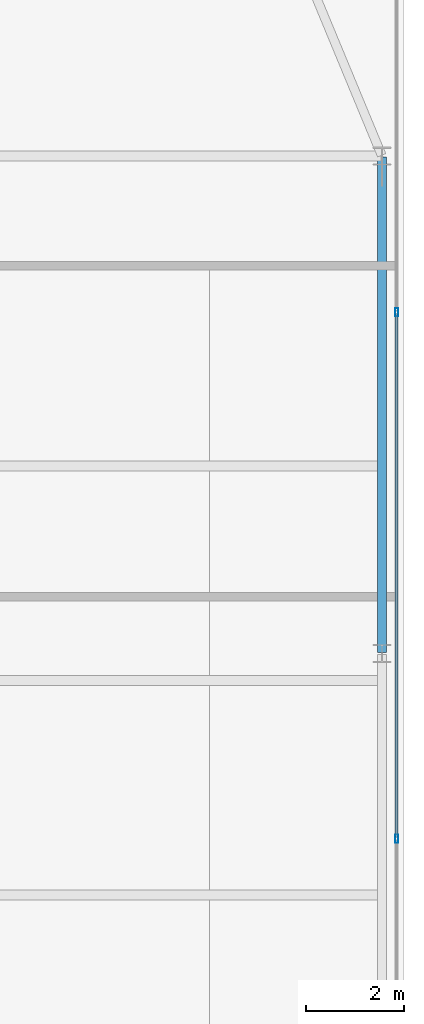
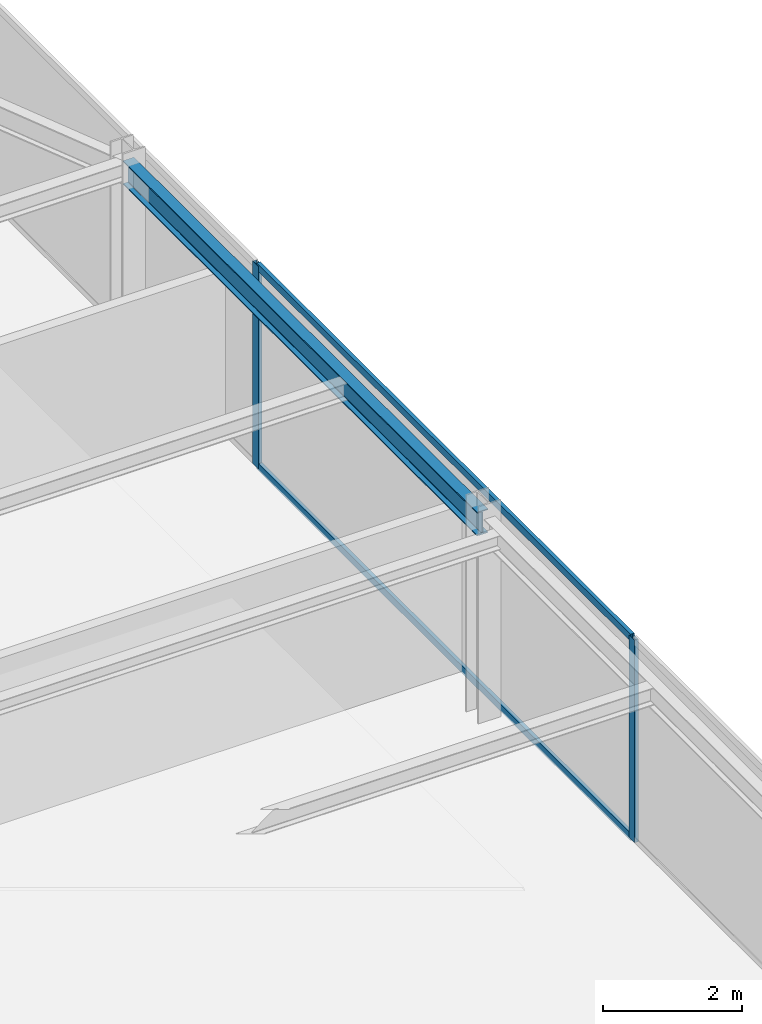
# One storey, part 18 of 31: 4 members, 1 beam, 1 element without a shape of its own.
"""IFC4 building model written with IfcOpenShell, lengths in metres."""

from ifc_helpers import new_model, si_unit, direction, frame, origin, origin_2d, place, context, subcontext, project, spatial, hollow_rectangle, i_section, extrude, source, transform, mapped, material, layer, layer_set, material_profile, profile_set, type_object, type_shapes, element, aggregate, save


model = new_model("IFC4")

# Units and contexts
model_context = context("Model", 3, precision=1e-05, world=origin(), true_north=direction((0.0, 1.0)))
body_context = subcontext(model_context, "Body", "Model", "MODEL_VIEW")
ifc_project = project(units=[si_unit("LENGTHUNIT", "METRE"), si_unit("AREAUNIT", "SQUARE_METRE"), si_unit("VOLUMEUNIT", "CUBIC_METRE"), si_unit("PLANEANGLEUNIT", "RADIAN"), si_unit("MASSUNIT", "GRAM", prefix="KILO")], contexts=[model_context])

# Site, building, storey
site_placement = place(None, origin())
site = spatial("IfcSite", under=ifc_project, at=site_placement, CompositionType="ELEMENT")
building_placement = place(site_placement, origin())
building = spatial("IfcBuilding", under=site, at=building_placement, Name="Varnel Quay Broadcast Tower", CompositionType="ELEMENT")
storey_placement = place(building_placement, frame((0.0, 0.0, 157.199951171875)))
storey = spatial("IfcBuildingStorey", under=building, at=storey_placement, Name="L38", CompositionType="ELEMENT", Elevation=157.199951171875)

# Beam
ifc_material_1 = material(Name="Structural Steel CSA G40.21 350W", Category="steel")
ifc_material_profile_1 = material_profile(ifc_material_1, i_section(OverallWidth=0.180908203125, OverallDepth=0.4169921875, WebThickness=0.010986328125, FlangeThickness=0.018310546875, FilletRadius=0.011962890625, at=origin_2d()), Name="W410X85")
ifc_profile_set_1 = profile_set([ifc_material_profile_1], Name="Structural Steel CSA G40.21 350W")
beam_type = type_object("IfcBeamType", Name="Beam_W410X85", PredefinedType="SPANDREL", material=ifc_profile_set_1)
shared_shape_1 = source(origin(), body_context, "Body", "SweptSolid", [
    extrude(i_section(OverallWidth=0.180908203125, OverallDepth=0.4169921875, WebThickness=0.010986328125, FlangeThickness=0.018310546875, FilletRadius=0.011962890625, at=origin_2d()), origin(), (0.0, 0.0, 1.0), 10.16015625),
])
type_shapes(beam_type, [shared_shape_1])
beam_placement = place(storey_placement, frame((60.550048828125, 25.419921875, 3.341552734375), z_axis=(0.0, 1.0, 0.0), x_axis=(-1.0, 0.0, 0.0)))
element("IfcBeam", 1, at=beam_placement, inside=storey, type_object=beam_type, Name="L38 East Spandrel TC-E2-TC-E3", PredefinedType="SPANDREL", context=body_context, shape_type="MappedRepresentation", body=[
    mapped(shared_shape_1, transform((0.0, 0.0, 0.0), x_axis=(1.0, 0.0, 0.0), y_axis=(0.0, 1.0, 0.0), z_axis=(0.0, 0.0, 1.0), scale=1.0)),
])

# Curtain wall, members
ifc_material_2 = material(Name="Anodised Bronze Aluminium 6063-T6", Category="aluminium")
ifc_layer = layer(ifc_material_2, 0.18994140625, Name="Anodised Bronze Aluminium 6063-T6")
ifc_layer_set = layer_set([ifc_layer], Name="Anodised Bronze Aluminium 6063-T6")
curtain_wall_type = type_object("IfcCurtainWallType", Name="CW_UpperTower", PredefinedType="NOTDEFINED", material=ifc_layer_set)
curtain_wall_placement = place(storey_placement, origin())
curtain_wall = element("IfcCurtainWall", 2, at=curtain_wall_placement, inside=storey, type_object=curtain_wall_type, Name="L38 East Unitised Curtain Wall", PredefinedType="NOTDEFINED")
ifc_material_profile_2 = material_profile(ifc_material_2, hollow_rectangle(XDim=0.06494140625, YDim=0.1650390625, WallThickness=0.00341796875, at=origin_2d()), Name="ALU65X165X3.5")
ifc_profile_set_2 = profile_set([ifc_material_profile_2], Name="Anodised Bronze Aluminium 6063-T6")
member_type_1 = type_object("IfcMemberType", Name="Mull_CWS-03", PredefinedType="MULLION", material=ifc_profile_set_2)
shared_shape_2 = source(origin(), body_context, "Body", "SweptSolid", [
    extrude(hollow_rectangle(XDim=0.06494140625, YDim=0.1650390625, WallThickness=0.00341796875, at=origin_2d()), origin(), (0.0, 0.0, 1.0), 3.550048828125),
])
type_shapes(member_type_1, [shared_shape_2])
member_1_placement = place(storey_placement, frame((60.85009765625, 21.60009765625, 0.0), z_axis=(0.0, 0.0, 1.0), x_axis=(-1.0, 0.0, 0.0)))
member_1 = element("IfcMember", 3, at=member_1_placement, type_object=member_type_1, Name="CWS-03 mullion 2", PredefinedType="MULLION", context=body_context, shape_type="MappedRepresentation", body=[
    mapped(shared_shape_2, transform((0.0, 0.0, 0.0), x_axis=(1.0, 0.0, 0.0), y_axis=(0.0, 1.0, 0.0), z_axis=(0.0, 0.0, 1.0), scale=1.0)),
])
member_2_placement = place(storey_placement, frame((60.85009765625, 32.39990234375, 0.0), z_axis=(0.0, 0.0, 1.0), x_axis=(-1.0, 0.0, 0.0)))
member_2 = element("IfcMember", 4, at=member_2_placement, type_object=member_type_1, Name="CWS-03 mullion 3", PredefinedType="MULLION", context=body_context, shape_type="MappedRepresentation", body=[
    mapped(shared_shape_2, transform((0.0, 0.0, 0.0), x_axis=(1.0, 0.0, 0.0), y_axis=(0.0, 1.0, 0.0), z_axis=(0.0, 0.0, 1.0), scale=1.0)),
])
ifc_material_profile_3 = material_profile(ifc_material_2, hollow_rectangle(XDim=0.06005859375, YDim=0.125, WallThickness=0.0029296875, at=origin_2d()), Name="ALU60X125X3")
ifc_profile_set_3 = profile_set([ifc_material_profile_3], Name="Anodised Bronze Aluminium 6063-T6")
member_type_2 = type_object("IfcMemberType", Name="Tran_CWS-03", PredefinedType="USERDEFINED", material=ifc_profile_set_3)
shared_shape_3 = source(origin(), body_context, "Body", "SweptSolid", [
    extrude(hollow_rectangle(XDim=0.06005859375, YDim=0.125, WallThickness=0.0029296875, at=origin_2d()), origin(), (0.0, 0.0, 1.0), 10.73486328125),
])
type_shapes(member_type_2, [shared_shape_3])
member_3_placement = place(storey_placement, frame((60.85009765625, 21.632568359375, 0.030029296875), z_axis=(0.0, 1.0, 0.0), x_axis=(-1.0, 0.0, 0.0)))
member_3 = element("IfcMember", 5, at=member_3_placement, type_object=member_type_2, Name="CWS-03 transom 2.1", ObjectType="TRANSOM", PredefinedType="USERDEFINED", context=body_context, shape_type="MappedRepresentation", body=[
    mapped(shared_shape_3, transform((0.0, 0.0, 0.0), x_axis=(1.0, 0.0, 0.0), y_axis=(0.0, 1.0, 0.0), z_axis=(0.0, 0.0, 1.0), scale=1.0)),
])
member_4_placement = place(storey_placement, frame((60.85009765625, 21.632568359375, 3.52001953125), z_axis=(0.0, 1.0, 0.0), x_axis=(-1.0, 0.0, 0.0)))
member_4 = element("IfcMember", 6, at=member_4_placement, type_object=member_type_2, Name="CWS-03 transom 2.2", ObjectType="TRANSOM", PredefinedType="USERDEFINED", context=body_context, shape_type="MappedRepresentation", body=[
    mapped(shared_shape_3, transform((0.0, 0.0, 0.0), x_axis=(1.0, 0.0, 0.0), y_axis=(0.0, 1.0, 0.0), z_axis=(0.0, 0.0, 1.0), scale=1.0)),
])
aggregate(curtain_wall, [member_1, member_2, member_3, member_4])

save(model, "model.ifc")
